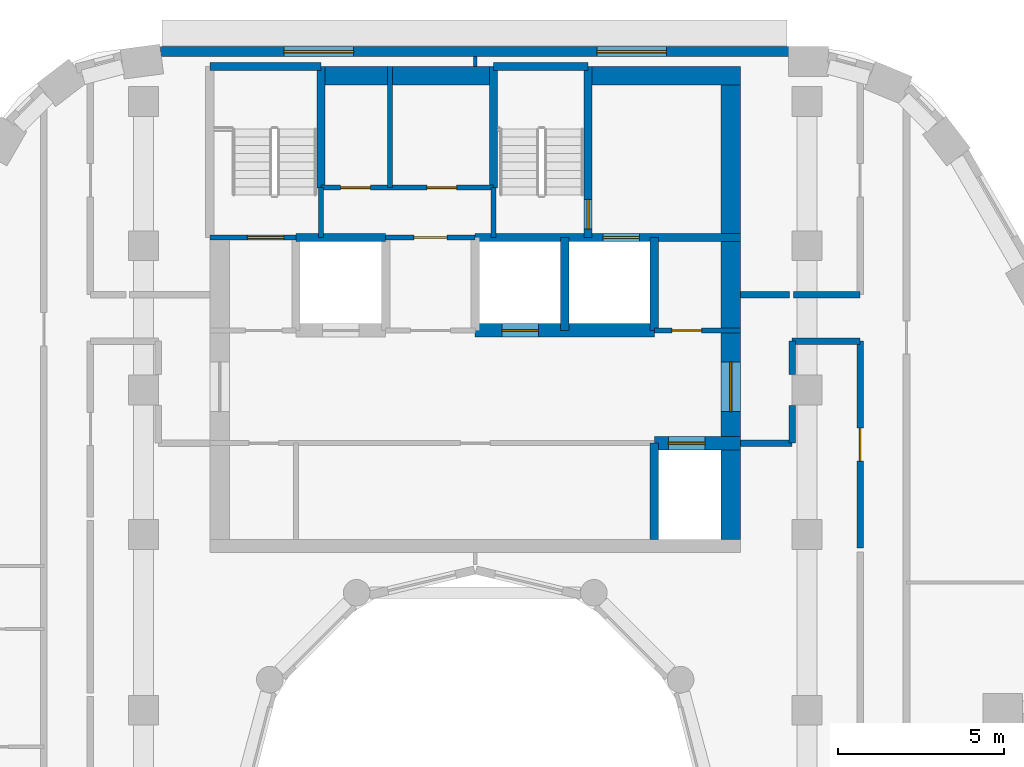
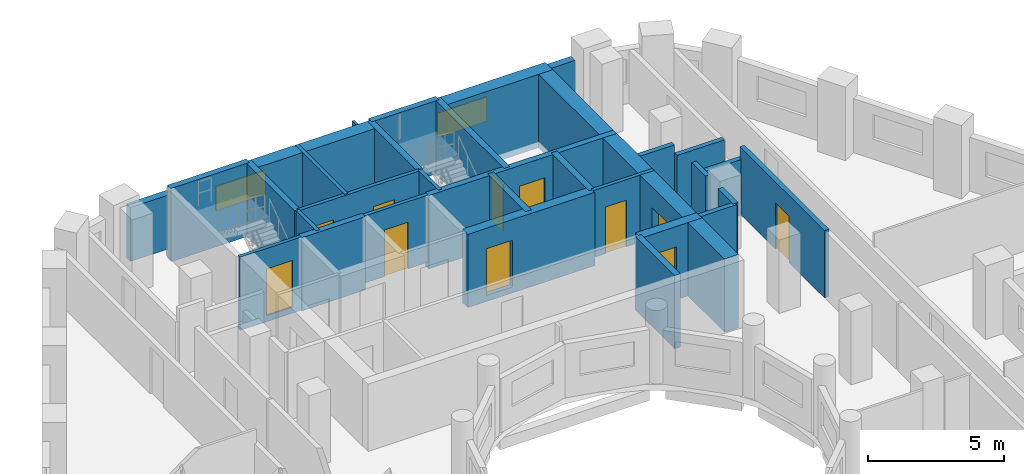
# One storey, part 8 of 15: 31 walls, 11 doors, 2 windows, 13 openings.
"""IFC4 building model written with IfcOpenShell, lengths in metres."""

from ifc_helpers import new_model, si_unit, direction, frame, frame_2d, origin, place, context, subcontext, project, spatial, rectangle, extrude, material, layer, layer_set, type_object, element, fill, save


model = new_model("IFC4")

# Units and contexts
model_context = context("Model", 3, precision=1e-05, world=origin(), true_north=direction((0.0, 1.0)))
body_context = subcontext(model_context, "Body", "Model", "MODEL_VIEW")
ifc_project = project(units=[si_unit("LENGTHUNIT", "METRE"), si_unit("AREAUNIT", "SQUARE_METRE"), si_unit("VOLUMEUNIT", "CUBIC_METRE"), si_unit("PLANEANGLEUNIT", "RADIAN"), si_unit("MASSUNIT", "GRAM", prefix="KILO")], contexts=[model_context])

# Site, building, storey
site_placement = place(None, origin())
site = spatial("IfcSite", under=ifc_project, at=site_placement, CompositionType="ELEMENT")
building_placement = place(site_placement, origin())
building = spatial("IfcBuilding", under=site, at=building_placement, Name="Nakaniwa Court", CompositionType="ELEMENT")
storey_placement = place(building_placement, frame((0.0, 0.0, 213.0)))
storey = spatial("IfcBuildingStorey", under=building, at=storey_placement, Name="L56", CompositionType="ELEMENT", Elevation=213.0)

# Wall, opening, door
ifc_material_1 = material(Name="Acoustic double stud partition")
ifc_layer_1 = layer(ifc_material_1, 0.199951171875)
ifc_layer_set_1 = layer_set([ifc_layer_1], Name="Acoustic double stud partition")
wall_type_1 = type_object("IfcWallType", Name="Acoustic double stud partition 200", PredefinedType="PARTITIONING", material=ifc_layer_set_1)
wall_1_placement = place(storey_placement, frame((91.60009765625, 87.537109375, 0.0), z_axis=(0.0, 0.0, 1.0), x_axis=(0.0, 1.0, 0.0)))
wall_1 = element("IfcWall", 1, at=wall_1_placement, inside=storey, type_object=wall_type_1, Name="Partition PW-069", PredefinedType="PARTITIONING", context=body_context, shape_type="SweptSolid", body=[
    extrude(rectangle(XDim=6.23779296875, YDim=0.199951171875, at=frame_2d((3.118896484375, 0.0))), origin(), (0.0, 0.0, 1.0), 3.02490234375),
])
opening_1_placement = place(wall_1_placement, frame((2.6201171875, 0.0, 0.0)))
opening_1 = element("IfcOpeningElement", 2, at=opening_1_placement, cuts=wall_1, Name="Opening D-02-03", PredefinedType="OPENING", context=body_context, shape_type="SweptSolid", body=[
    extrude(rectangle(XDim=1.0, YDim=2.10009765625, at=frame_2d((0.5, 1.050048828125))), frame((0.0, 0.10986328125, 0.0), z_axis=(0.0, -1.0, 0.0), x_axis=(1.0, 0.0, 0.0)), (0.0, 0.0, 1.0), 0.219970703125),
])
ifc_material_2 = material(Name="Solid core timber door set, black veneer", Category="wood")
door_type_1 = type_object("IfcDoorType", Name="Internal door 1000", OperationType="NOTDEFINED", PredefinedType="DOOR", material=ifc_material_2)
door_1_placement = place(opening_1_placement, origin())
door_1 = element("IfcDoor", 3, at=door_1_placement, inside=storey, type_object=door_type_1, Name="Door D-02-03 L56-031", OperationType="SINGLE_SWING_RIGHT", OverallHeight=2.10009765625, OverallWidth=1.0, PredefinedType="DOOR", context=body_context, shape_type="SweptSolid", body=[
    extrude(rectangle(XDim=1.0, YDim=2.10009765625, at=frame_2d((0.5, 1.050048828125))), frame((0.0, 0.02490234375, 0.0), z_axis=(0.0, -1.0, 0.0), x_axis=(1.0, 0.0, 0.0)), (0.0, 0.0, 1.0), 0.050048828125),
])
fill(opening_1, door_1)

# Walls
wall_2_placement = place(storey_placement, frame((89.550048828125, 90.699951171875, 0.0), z_axis=(0.0, 0.0, 1.0), x_axis=(0.0, 1.0, 0.0)))
element("IfcWall", 4, at=wall_2_placement, inside=storey, type_object=wall_type_1, Name="Partition PW-080", PredefinedType="PARTITIONING", context=body_context, shape_type="SweptSolid", body=[
    extrude(rectangle(XDim=1.1328125, YDim=0.199951171875, at=frame_2d((0.56640625, 0.0))), origin(), (0.0, 0.0, 1.0), 3.02490234375),
])
wall_3_placement = place(storey_placement, frame((89.550048828125, 92.76708984375, 0.0), z_axis=(0.0, 0.0, 1.0), x_axis=(0.0, 1.0, 0.0)))
element("IfcWall", 5, at=wall_3_placement, inside=storey, type_object=wall_type_1, Name="Partition PW-081", PredefinedType="PARTITIONING", context=body_context, shape_type="SweptSolid", body=[
    extrude(rectangle(XDim=1.0078125, YDim=0.199951171875, at=frame_2d((0.50390625, 0.0))), origin(), (0.0, 0.0, 1.0), 3.02490234375),
])
wall_4_placement = place(storey_placement, frame((89.550048828125, 93.77490234375, 0.0), z_axis=(0.0, 0.0, 1.0), x_axis=(1.0, 0.0, 0.0)))
element("IfcWall", 6, at=wall_4_placement, inside=storey, type_object=wall_type_1, Name="Partition PW-085", PredefinedType="PARTITIONING", context=body_context, shape_type="SweptSolid", body=[
    extrude(rectangle(XDim=2.050048828125, YDim=0.199951171875, at=frame_2d((1.02490234375, 0.0))), origin(), (0.0, 0.0, 1.0), 2.5048828125),
])
wall_5_placement = place(storey_placement, frame((88.0, 90.699951171875, 0.0), z_axis=(0.0, 0.0, 1.0), x_axis=(1.0, 0.0, 0.0)))
element("IfcWall", 7, at=wall_5_placement, inside=storey, type_object=wall_type_1, Name="Partition PW-087", PredefinedType="PARTITIONING", context=body_context, shape_type="SweptSolid", body=[
    extrude(rectangle(XDim=1.550048828125, YDim=0.199951171875, at=frame_2d((0.77490234375, 0.0))), origin(), (0.0, 0.0, 1.0), 3.02490234375),
])
wall_6_placement = place(storey_placement, frame((88.0, 95.175048828125, 0.0), z_axis=(0.0, 0.0, 1.0), x_axis=(1.0, 0.0, 0.0)))
element("IfcWall", 8, at=wall_6_placement, inside=storey, type_object=wall_type_1, Name="Partition PW-090", PredefinedType="PARTITIONING", context=body_context, shape_type="SweptSolid", body=[
    extrude(rectangle(XDim=1.472900390625, YDim=0.199951171875, at=frame_2d((0.736328125, 0.0))), origin(), (0.0, 0.0, 1.0), 3.02490234375),
])
wall_7_placement = place(storey_placement, frame((89.587158203125, 95.175048828125, 0.0), z_axis=(0.0, 0.0, 1.0), x_axis=(1.0, 0.0, 0.0)))
element("IfcWall", 9, at=wall_7_placement, inside=storey, type_object=wall_type_1, Name="Partition PW-091", PredefinedType="PARTITIONING", context=body_context, shape_type="SweptSolid", body=[
    extrude(rectangle(XDim=2.012939453125, YDim=0.199951171875, at=frame_2d((1.00634765625, 0.0))), origin(), (0.0, 0.0, 1.0), 2.5048828125),
])

# Wall, openings, windows
ifc_material_3 = material(Name="Charcoal ceramic cladding")
ifc_layer_2 = layer(ifc_material_3, 0.02, Name="Ceramic cladding")
ifc_material_4 = material(Name="Ventilated air cavity")
ifc_layer_3 = layer(ifc_material_4, 0.04, ventilated=True, Name="Ventilated cavity")
ifc_material_5 = material(Name="Mineral wool insulation")
ifc_layer_4 = layer(ifc_material_5, 0.1, Name="Insulation")
ifc_material_6 = material(Name="Cement bonded sheathing board")
ifc_layer_5 = layer(ifc_material_6, 0.012, Name="Sheathing")
ifc_material_7 = material(Name="Cold-formed galvanised stud frame with mineral wool infill")
ifc_layer_6 = layer(ifc_material_7, 0.1, Name="Stud frame")
ifc_material_8 = material(Name="Fire-rated gypsum plasterboard lining")
ifc_layer_7 = layer(ifc_material_8, 0.028, Name="Lining")
ifc_layer_set_2 = layer_set([ifc_layer_2, ifc_layer_3, ifc_layer_4, ifc_layer_5, ifc_layer_6, ifc_layer_7], Name="Charcoal ceramic faced external wall system")
wall_type_2 = type_object("IfcWallType", Name="Black ceramic faced external wall 300", PredefinedType="SOLIDWALL", material=ifc_layer_set_2)
wall_8_placement = place(storey_placement, frame((89.44921875, 102.5, 0.0), z_axis=(0.0, 0.0, 1.0), x_axis=(-1.0, 0.0, 0.0)))
wall_8 = element("IfcWall", 10, at=wall_8_placement, inside=storey, type_object=wall_type_2, Name="L56 external wall 08", PredefinedType="SOLIDWALL", context=body_context, shape_type="SweptSolid", body=[
    extrude(rectangle(XDim=18.932861328125, YDim=0.300048828125, at=frame_2d((9.46630859375, 0.0))), origin(), (0.0, 0.0, 1.0), 2.425048828125),
])
opening_2_placement = place(wall_8_placement, frame((3.6865234375, 0.0, 0.89990234375)))
opening_2 = element("IfcOpeningElement", 11, at=opening_2_placement, cuts=wall_8, Name="Opening W7.09", PredefinedType="OPENING", context=body_context, shape_type="SweptSolid", body=[
    extrude(rectangle(XDim=2.10009765625, YDim=1.10009765625, at=frame_2d((1.050048828125, 0.550048828125))), frame((0.0, 0.159912109375, 0.0), z_axis=(0.0, -1.0, 0.0), x_axis=(1.0, 0.0, 0.0)), (0.0, 0.0, 1.0), 0.320068359375),
])
opening_3_placement = place(wall_8_placement, frame((13.117919921875, 0.0, 0.89990234375)))
opening_3 = element("IfcOpeningElement", 12, at=opening_3_placement, cuts=wall_8, Name="Opening W7.10", PredefinedType="OPENING", context=body_context, shape_type="SweptSolid", body=[
    extrude(rectangle(XDim=2.10009765625, YDim=1.10009765625, at=frame_2d((1.050048828125, 0.550048828125))), frame((0.0, 0.159912109375, 0.0), z_axis=(0.0, -1.0, 0.0), x_axis=(1.0, 0.0, 0.0)), (0.0, 0.0, 1.0), 0.320068359375),
])
ifc_material_9 = material(Name="Black anodised aluminium frame with dark low-E laminated double glazing", Category="aluminium")
window_type = type_object("IfcWindowType", Name="Dark glass window 2100x1100 sill 900", PartitioningType="SINGLE_PANEL", PredefinedType="WINDOW", material=ifc_material_9)
window_1_placement = place(opening_2_placement, origin())
window_1 = element("IfcWindow", 13, at=window_1_placement, inside=storey, type_object=window_type, Name="L56 habitable room window 08-0", OverallHeight=1.10009765625, OverallWidth=2.10009765625, PartitioningType="SINGLE_PANEL", PredefinedType="WINDOW", context=body_context, shape_type="SweptSolid", body=[
    extrude(rectangle(XDim=2.10009765625, YDim=1.10009765625, at=frame_2d((1.050048828125, 0.550048828125))), frame((0.0, 0.030029296875, 0.0), z_axis=(0.0, -1.0, 0.0), x_axis=(1.0, 0.0, 0.0)), (0.0, 0.0, 1.0), 0.06005859375),
])
fill(opening_2, window_1)
window_2_placement = place(opening_3_placement, origin())
window_2 = element("IfcWindow", 14, at=window_2_placement, inside=storey, type_object=window_type, Name="L56 habitable room window 08-1", OverallHeight=1.10009765625, OverallWidth=2.10009765625, PartitioningType="SINGLE_PANEL", PredefinedType="WINDOW", context=body_context, shape_type="SweptSolid", body=[
    extrude(rectangle(XDim=2.10009765625, YDim=1.10009765625, at=frame_2d((1.050048828125, 0.550048828125))), frame((0.0, 0.030029296875, 0.0), z_axis=(0.0, -1.0, 0.0), x_axis=(1.0, 0.0, 0.0)), (0.0, 0.0, 1.0), 0.06005859375),
])
fill(opening_3, window_2)

# Wall, opening, door
ifc_material_10 = material(Name="Blockwork partition", Category="masonry")
ifc_layer_8 = layer(ifc_material_10, 0.14990234375)
ifc_layer_set_3 = layer_set([ifc_layer_8], Name="Blockwork partition")
wall_type_3 = type_object("IfcWallType", Name="Blockwork partition 150", PredefinedType="PARTITIONING", material=ifc_layer_set_3)
wall_9_placement = place(storey_placement, frame((85.39697265625, 94.10009765625, 0.0), z_axis=(0.0, 0.0, 1.0), x_axis=(1.0, 0.0, 0.0)))
wall_9 = element("IfcWall", 15, at=wall_9_placement, inside=storey, type_object=wall_type_3, Name="Partition PW-010", PredefinedType="PARTITIONING", context=body_context, shape_type="SweptSolid", body=[
    extrude(rectangle(XDim=2.60302734375, YDim=0.14990234375, at=frame_2d((1.301513671875, 0.0))), origin(), (0.0, 0.0, 1.0), 3.02490234375),
])
opening_4_placement = place(wall_9_placement, frame((0.528076171875, 0.0, 0.0)))
opening_4 = element("IfcOpeningElement", 16, at=opening_4_placement, cuts=wall_9, Name="Opening D-05-03", PredefinedType="OPENING", context=body_context, shape_type="SweptSolid", body=[
    extrude(rectangle(XDim=0.89990234375, YDim=2.10009765625, at=frame_2d((0.449951171875, 1.050048828125))), frame((0.0, 0.0849609375, 0.0), z_axis=(0.0, -1.0, 0.0), x_axis=(1.0, 0.0, 0.0)), (0.0, 0.0, 1.0), 0.169921875),
])
ifc_material_11 = material(Name="Fire rated steel door set", Category="steel")
door_type_2 = type_object("IfcDoorType", Name="Service room door 900", OperationType="NOTDEFINED", PredefinedType="DOOR", material=ifc_material_11)
door_2_placement = place(opening_4_placement, origin())
door_2 = element("IfcDoor", 17, at=door_2_placement, inside=storey, type_object=door_type_2, Name="Door D-05-03 L56-005", OperationType="SINGLE_SWING_RIGHT", OverallHeight=2.10009765625, OverallWidth=0.89990234375, PredefinedType="DOOR", context=body_context, shape_type="SweptSolid", body=[
    extrude(rectangle(XDim=0.89990234375, YDim=2.10009765625, at=frame_2d((0.449951171875, 1.050048828125))), frame((0.0, 0.02490234375, 0.0), z_axis=(0.0, -1.0, 0.0), x_axis=(1.0, 0.0, 0.0)), (0.0, 0.0, 1.0), 0.050048828125),
])
fill(opening_4, door_2)

wall_10_placement = place(storey_placement, frame((77.300048828125, 96.89990234375, 0.0), z_axis=(0.0, 0.0, 1.0), x_axis=(1.0, 0.0, 0.0)))
wall_10 = element("IfcWall", 18, at=wall_10_placement, inside=storey, type_object=wall_type_3, Name="Partition PW-019", PredefinedType="PARTITIONING", context=body_context, shape_type="SweptSolid", body=[
    extrude(rectangle(XDim=2.699951171875, YDim=0.14990234375, at=frame_2d((1.35009765625, 0.0))), origin(), (0.0, 0.0, 1.0), 3.02490234375),
])
opening_5_placement = place(wall_10_placement, frame((0.85009765625, 0.0, 0.0)))
opening_5 = element("IfcOpeningElement", 19, at=opening_5_placement, cuts=wall_10, Name="Opening D-23-01", PredefinedType="OPENING", context=body_context, shape_type="SweptSolid", body=[
    extrude(rectangle(XDim=1.0, YDim=2.10009765625, at=frame_2d((0.5, 1.050048828125))), frame((0.0, 0.0849609375, 0.0), z_axis=(0.0, -1.0, 0.0), x_axis=(1.0, 0.0, 0.0)), (0.0, 0.0, 1.0), 0.169921875),
])
door_type_3 = type_object("IfcDoorType", Name="Service room door 1000", OperationType="NOTDEFINED", PredefinedType="DOOR", material=ifc_material_11)
door_3_placement = place(opening_5_placement, origin())
door_3 = element("IfcDoor", 20, at=door_3_placement, inside=storey, type_object=door_type_3, Name="Door D-23-01 L56-006", OperationType="SINGLE_SWING_LEFT", OverallHeight=2.10009765625, OverallWidth=1.0, PredefinedType="DOOR", context=body_context, shape_type="SweptSolid", body=[
    extrude(rectangle(XDim=1.0, YDim=2.10009765625, at=frame_2d((0.5, 1.050048828125))), frame((0.0, 0.02490234375, 0.0), z_axis=(0.0, -1.0, 0.0), x_axis=(1.0, 0.0, 0.0)), (0.0, 0.0, 1.0), 0.050048828125),
])
fill(opening_5, door_3)

# Wall, openings, doors
wall_11_placement = place(storey_placement, frame((75.35009765625, 98.39990234375, 0.0), z_axis=(0.0, 0.0, 1.0), x_axis=(1.0, 0.0, 0.0)))
wall_11 = element("IfcWall", 21, at=wall_11_placement, inside=storey, type_object=wall_type_3, Name="Partition PW-031", PredefinedType="PARTITIONING", context=body_context, shape_type="SweptSolid", body=[
    extrude(rectangle(XDim=5.199951171875, YDim=0.14990234375, at=frame_2d((2.60009765625, 0.0))), origin(), (0.0, 0.0, 1.0), 3.02490234375),
])
opening_6_placement = place(wall_11_placement, frame((0.590087890625, 0.0, 0.0)))
opening_6 = element("IfcOpeningElement", 22, at=opening_6_placement, cuts=wall_11, Name="Opening D-05-04", PredefinedType="OPENING", context=body_context, shape_type="SweptSolid", body=[
    extrude(rectangle(XDim=0.89990234375, YDim=2.10009765625, at=frame_2d((0.449951171875, 1.050048828125))), frame((0.0, 0.0849609375, 0.0), z_axis=(0.0, -1.0, 0.0), x_axis=(1.0, 0.0, 0.0)), (0.0, 0.0, 1.0), 0.169921875),
])
opening_7_placement = place(wall_11_placement, frame((3.18994140625, 0.0, 0.0)))
opening_7 = element("IfcOpeningElement", 23, at=opening_7_placement, cuts=wall_11, Name="Opening D-05-05", PredefinedType="OPENING", context=body_context, shape_type="SweptSolid", body=[
    extrude(rectangle(XDim=0.89990234375, YDim=2.10009765625, at=frame_2d((0.449951171875, 1.050048828125))), frame((0.0, 0.0849609375, 0.0), z_axis=(0.0, -1.0, 0.0), x_axis=(1.0, 0.0, 0.0)), (0.0, 0.0, 1.0), 0.169921875),
])
door_4_placement = place(opening_6_placement, origin())
door_4 = element("IfcDoor", 24, at=door_4_placement, inside=storey, type_object=door_type_2, Name="Door D-05-04 L56-007", OperationType="SINGLE_SWING_RIGHT", OverallHeight=2.10009765625, OverallWidth=0.89990234375, PredefinedType="DOOR", context=body_context, shape_type="SweptSolid", body=[
    extrude(rectangle(XDim=0.89990234375, YDim=2.10009765625, at=frame_2d((0.449951171875, 1.050048828125))), frame((0.0, 0.02490234375, 0.0), z_axis=(0.0, -1.0, 0.0), x_axis=(1.0, 0.0, 0.0)), (0.0, 0.0, 1.0), 0.050048828125),
])
fill(opening_6, door_4)
door_5_placement = place(opening_7_placement, origin())
door_5 = element("IfcDoor", 25, at=door_5_placement, inside=storey, type_object=door_type_2, Name="Door D-05-05 L56-008", OperationType="SINGLE_SWING_LEFT", OverallHeight=2.10009765625, OverallWidth=0.89990234375, PredefinedType="DOOR", context=body_context, shape_type="SweptSolid", body=[
    extrude(rectangle(XDim=0.89990234375, YDim=2.10009765625, at=frame_2d((0.449951171875, 1.050048828125))), frame((0.0, 0.02490234375, 0.0), z_axis=(0.0, -1.0, 0.0), x_axis=(1.0, 0.0, 0.0)), (0.0, 0.0, 1.0), 0.050048828125),
])
fill(opening_7, door_5)

# Wall
wall_12_placement = place(storey_placement, frame((77.429931640625, 98.39990234375, 0.0), z_axis=(0.0, 0.0, 1.0), x_axis=(0.0, 1.0, 0.0)))
element("IfcWall", 26, at=wall_12_placement, inside=storey, type_object=wall_type_3, Name="Partition PW-032", PredefinedType="PARTITIONING", context=body_context, shape_type="SweptSolid", body=[
    extrude(rectangle(XDim=3.650146484375, YDim=0.14990234375, at=frame_2d((1.8251953125, 0.0))), origin(), (0.0, 0.0, 1.0), 3.02490234375),
])

# Wall, opening, door
ifc_material_12 = material(Name="Concrete C80/100", Category="concrete")
ifc_layer_9 = layer(ifc_material_12, 0.60009765625)
ifc_layer_set_4 = layer_set([ifc_layer_9], Name="Concrete C80/100")
wall_type_4 = type_object("IfcWallType", Name="Concrete core side wall 600 C80", PredefinedType="SHEAR", material=ifc_layer_set_4)
wall_13_placement = place(storey_placement, frame((87.699951171875, 102.050048828125, -0.27490234375), z_axis=(0.0, 0.0, 1.0), x_axis=(0.0, -1.0, 0.0)))
wall_13 = element("IfcWall", 27, at=wall_13_placement, inside=storey, type_object=wall_type_4, Name="Core wall SW-07", PredefinedType="SHEAR", context=body_context, shape_type="SweptSolid", body=[
    extrude(rectangle(XDim=14.25, YDim=0.60009765625, at=frame_2d((7.125, 0.0))), origin(), (0.0, 0.0, 1.0), 3.2998046875),
])
opening_8_placement = place(wall_13_placement, frame((8.89794921875, 0.0, 0.27490234375)))
opening_8 = element("IfcOpeningElement", 28, at=opening_8_placement, cuts=wall_13, Name="Opening D-07-01", PredefinedType="OPENING", context=body_context, shape_type="SweptSolid", body=[
    extrude(rectangle(XDim=1.5, YDim=2.10009765625, at=frame_2d((0.75, 1.050048828125))), frame((0.0, 0.31005859375, 0.0), z_axis=(0.0, -1.0, 0.0), x_axis=(1.0, 0.0, 0.0)), (0.0, 0.0, 1.0), 0.6201171875),
])
ifc_material_13 = material(Name="Glazed fire rated steel double door set", Category="steel")
door_type_4 = type_object("IfcDoorType", Name="Lobby double door 1500", OperationType="NOTDEFINED", PredefinedType="DOOR", material=ifc_material_13)
door_6_placement = place(opening_8_placement, origin())
door_6 = element("IfcDoor", 29, at=door_6_placement, inside=storey, type_object=door_type_4, Name="Door D-07-01 L56-052", OperationType="DOUBLE_DOOR_SINGLE_SWING", OverallHeight=2.10009765625, OverallWidth=1.5, PredefinedType="DOOR", context=body_context, shape_type="SweptSolid", body=[
    extrude(rectangle(XDim=1.5, YDim=2.10009765625, at=frame_2d((0.75, 1.050048828125))), frame((0.0, 0.02490234375, 0.0), z_axis=(0.0, -1.0, 0.0), x_axis=(1.0, 0.0, 0.0)), (0.0, 0.0, 1.0), 0.050048828125),
])
fill(opening_8, door_6)

ifc_layer_10 = layer(ifc_material_12, 0.39990234375)
ifc_layer_set_5 = layer_set([ifc_layer_10], Name="Concrete C80/100")
wall_type_5 = type_object("IfcWallType", Name="Concrete core spine wall 400 C80", PredefinedType="SHEAR", material=ifc_layer_set_5)
wall_14_placement = place(storey_placement, frame((85.39990234375, 90.699951171875, -0.27490234375), z_axis=(0.0, 0.0, 1.0), x_axis=(1.0, 0.0, 0.0)))
wall_14 = element("IfcWall", 30, at=wall_14_placement, inside=storey, type_object=wall_type_5, Name="Core wall SW-06", PredefinedType="SHEAR", context=body_context, shape_type="SweptSolid", body=[
    extrude(rectangle(XDim=2.60009765625, YDim=0.39990234375, at=frame_2d((1.300048828125, 0.0))), origin(), (0.0, 0.0, 1.0), 3.2998046875),
])
opening_9_placement = place(wall_14_placement, frame((0.425048828125, 0.0, 0.27490234375)))
opening_9 = element("IfcOpeningElement", 31, at=opening_9_placement, cuts=wall_14, Name="Opening LD01", PredefinedType="OPENING", context=body_context, shape_type="SweptSolid", body=[
    extrude(rectangle(XDim=1.10009765625, YDim=2.10009765625, at=frame_2d((0.550048828125, 1.050048828125))), frame((0.0, 0.2099609375, 0.0), z_axis=(0.0, -1.0, 0.0), x_axis=(1.0, 0.0, 0.0)), (0.0, 0.0, 1.0), 0.419921875),
])
ifc_material_14 = material(Name="Stainless steel sliding lift landing door", Category="steel")
door_type_5 = type_object("IfcDoorType", Name="Lift landing door 1100", OperationType="NOTDEFINED", PredefinedType="DOOR", material=ifc_material_14)
door_7_placement = place(opening_9_placement, origin())
door_7 = element("IfcDoor", 32, at=door_7_placement, inside=storey, type_object=door_type_5, Name="Lift landing door LD01 L56-001", OperationType="SLIDING_TO_LEFT", OverallHeight=2.10009765625, OverallWidth=1.10009765625, PredefinedType="DOOR", context=body_context, shape_type="SweptSolid", body=[
    extrude(rectangle(XDim=1.10009765625, YDim=2.10009765625, at=frame_2d((0.550048828125, 1.050048828125))), frame((0.0, 0.02490234375, 0.0), z_axis=(0.0, -1.0, 0.0), x_axis=(1.0, 0.0, 0.0)), (0.0, 0.0, 1.0), 0.050048828125),
])
fill(opening_9, door_7)

wall_15_placement = place(storey_placement, frame((79.9970703125, 94.10009765625, -0.27490234375), z_axis=(0.0, 0.0, 1.0), x_axis=(1.0, 0.0, 0.0)))
wall_15 = element("IfcWall", 33, at=wall_15_placement, inside=storey, type_object=wall_type_5, Name="Core wall SW-12", PredefinedType="SHEAR", context=body_context, shape_type="SweptSolid", body=[
    extrude(rectangle(XDim=5.406005859375, YDim=0.39990234375, at=frame_2d((2.703125, 0.0))), origin(), (0.0, 0.0, 1.0), 3.2998046875),
])
opening_10_placement = place(wall_15_placement, frame((0.802978515625, 0.0, 0.27490234375)))
opening_10 = element("IfcOpeningElement", 34, at=opening_10_placement, cuts=wall_15, Name="Opening LD03", PredefinedType="OPENING", context=body_context, shape_type="SweptSolid", body=[
    extrude(rectangle(XDim=1.10009765625, YDim=2.10009765625, at=frame_2d((0.550048828125, 1.050048828125))), frame((0.0, 0.2099609375, 0.0), z_axis=(0.0, -1.0, 0.0), x_axis=(1.0, 0.0, 0.0)), (0.0, 0.0, 1.0), 0.419921875),
])
door_8_placement = place(opening_10_placement, origin())
door_8 = element("IfcDoor", 35, at=door_8_placement, inside=storey, type_object=door_type_5, Name="Lift landing door LD03 L56-003", OperationType="SLIDING_TO_LEFT", OverallHeight=2.10009765625, OverallWidth=1.10009765625, PredefinedType="DOOR", context=body_context, shape_type="SweptSolid", body=[
    extrude(rectangle(XDim=1.10009765625, YDim=2.10009765625, at=frame_2d((0.550048828125, 1.050048828125))), frame((0.0, 0.02490234375, 0.0), z_axis=(0.0, -1.0, 0.0), x_axis=(1.0, 0.0, 0.0)), (0.0, 0.0, 1.0), 0.050048828125),
])
fill(opening_10, door_8)

ifc_layer_11 = layer(ifc_material_12, 0.14990234375)
ifc_layer_set_6 = layer_set([ifc_layer_11], Name="Concrete C80/100")
wall_type_6 = type_object("IfcWallType", Name="Concrete core wall 150 C80", PredefinedType="SHEAR", material=ifc_layer_set_6)
wall_16_placement = place(storey_placement, frame((74.60009765625, 96.89990234375, -0.27490234375), z_axis=(0.0, 0.0, 1.0), x_axis=(-1.0, 0.0, 0.0)))
wall_16 = element("IfcWall", 36, at=wall_16_placement, inside=storey, type_object=wall_type_6, Name="Core wall SW-14", PredefinedType="SHEAR", context=body_context, shape_type="SweptSolid", body=[
    extrude(rectangle(XDim=2.60009765625, YDim=0.14990234375, at=frame_2d((1.300048828125, 0.0))), origin(), (0.0, 0.0, 1.0), 3.2998046875),
])
opening_11_placement = place(wall_16_placement, frame((0.3701171875, 0.0, 0.27490234375)))
opening_11 = element("IfcOpeningElement", 37, at=opening_11_placement, cuts=wall_16, Name="Opening D-09-01", PredefinedType="OPENING", context=body_context, shape_type="SweptSolid", body=[
    extrude(rectangle(XDim=1.10009765625, YDim=2.10009765625, at=frame_2d((0.550048828125, 1.050048828125))), frame((0.0, 0.0849609375, 0.0), z_axis=(0.0, -1.0, 0.0), x_axis=(1.0, 0.0, 0.0)), (0.0, 0.0, 1.0), 0.169921875),
])
door_type_6 = type_object("IfcDoorType", Name="Stair door 1100", OperationType="NOTDEFINED", PredefinedType="DOOR", material=ifc_material_11)
door_9_placement = place(opening_11_placement, origin())
door_9 = element("IfcDoor", 38, at=door_9_placement, inside=storey, type_object=door_type_6, Name="Door D-09-01 L56-009", OperationType="SINGLE_SWING_LEFT", OverallHeight=2.10009765625, OverallWidth=1.10009765625, PredefinedType="DOOR", context=body_context, shape_type="SweptSolid", body=[
    extrude(rectangle(XDim=1.10009765625, YDim=2.10009765625, at=frame_2d((0.550048828125, 1.050048828125))), frame((0.0, 0.02490234375, 0.0), z_axis=(0.0, -1.0, 0.0), x_axis=(1.0, 0.0, 0.0)), (0.0, 0.0, 1.0), 0.050048828125),
])
fill(opening_11, door_9)

# Walls
for number, where, z_axis, x_axis, name in (
    (39, (75.35009765625, 96.89990234375, -0.27490234375), (0.0, 0.0, 1.0), (0.0, 1.0, 0.0), "Core wall SW-21"),
    (40, (80.550048828125, 96.89990234375, -0.27490234375), (0.0, 0.0, 1.0), (0.0, 1.0, 0.0), "Core wall SW-27"),
):
    element("IfcWall", number, at=place(storey_placement, frame(where, z_axis=z_axis, x_axis=x_axis)), inside=storey, type_object=wall_type_6, Name=name, PredefinedType="SHEAR", context=body_context, shape_type="SweptSolid", body=[
        extrude(rectangle(XDim=1.503173828125, YDim=0.14990234375, at=frame_2d((0.75146484375, 0.0))), origin(), (0.0, 0.0, 1.0), 3.2998046875),
    ])
ifc_layer_12 = layer(ifc_material_12, 0.25)
ifc_layer_set_7 = layer_set([ifc_layer_12], Name="Concrete C80/100")
wall_type_7 = type_object("IfcWallType", Name="Concrete core wall 250 C80", PredefinedType="SHEAR", material=ifc_layer_set_7)
wall_17_placement = place(storey_placement, frame((72.0, 102.050048828125, -0.27490234375), z_axis=(0.0, 0.0, 1.0), x_axis=(1.0, 0.0, 0.0)))
element("IfcWall", 41, at=wall_17_placement, inside=storey, type_object=wall_type_7, Name="Core wall SW-23", PredefinedType="SHEAR", context=body_context, shape_type="SweptSolid", body=[
    extrude(rectangle(XDim=3.35009765625, YDim=0.25, at=frame_2d((1.675048828125, 0.0))), origin(), (0.0, 0.0, 1.0), 3.2998046875),
])
wall_18_placement = place(storey_placement, frame((80.550048828125, 102.050048828125, -0.27490234375), z_axis=(0.0, 0.0, 1.0), x_axis=(1.0, 0.0, 0.0)))
element("IfcWall", 42, at=wall_18_placement, inside=storey, type_object=wall_type_7, Name="Core wall SW-24", PredefinedType="SHEAR", context=body_context, shape_type="SweptSolid", body=[
    extrude(rectangle(XDim=2.849853515625, YDim=0.25, at=frame_2d((1.4248046875, 0.0))), origin(), (0.0, 0.0, 1.0), 3.2998046875),
])
ifc_layer_13 = layer(ifc_material_12, 0.550048828125)
ifc_layer_set_8 = layer_set([ifc_layer_13], Name="Concrete C80/100")
wall_type_8 = type_object("IfcWallType", Name="Concrete core wall 550 C80", PredefinedType="SHEAR", material=ifc_layer_set_8)
wall_19_placement = place(storey_placement, frame((75.35009765625, 101.77490234375, -0.27490234375), z_axis=(0.0, 0.0, 1.0), x_axis=(1.0, 0.0, 0.0)))
element("IfcWall", 43, at=wall_19_placement, inside=storey, type_object=wall_type_8, Name="Core wall SW-29", PredefinedType="SHEAR", context=body_context, shape_type="SweptSolid", body=[
    extrude(rectangle(XDim=5.199951171875, YDim=0.550048828125, at=frame_2d((2.60009765625, 0.0))), origin(), (0.0, 0.0, 1.0), 3.2998046875),
])
wall_20_placement = place(storey_placement, frame((83.39990234375, 101.77490234375, -0.27490234375), z_axis=(0.0, 0.0, 1.0), x_axis=(1.0, 0.0, 0.0)))
element("IfcWall", 44, at=wall_20_placement, inside=storey, type_object=wall_type_8, Name="Core wall SW-30", PredefinedType="SHEAR", context=body_context, shape_type="SweptSolid", body=[
    extrude(rectangle(XDim=4.60009765625, YDim=0.550048828125, at=frame_2d((2.300048828125, 0.0))), origin(), (0.0, 0.0, 1.0), 3.2998046875),
])
ifc_layer_14 = layer(ifc_material_12, 0.25)
ifc_layer_set_9 = layer_set([ifc_layer_14], Name="Concrete C80/100")
wall_type_9 = type_object("IfcWallType", Name="Concrete shaft wall 250 C80", PredefinedType="SHEAR", material=ifc_layer_set_9)
wall_21_placement = place(storey_placement, frame((85.39990234375, 87.800048828125, -0.27490234375), z_axis=(0.0, 0.0, 1.0), x_axis=(0.0, 1.0, 0.0)))
element("IfcWall", 45, at=wall_21_placement, inside=storey, type_object=wall_type_9, Name="Core wall SW-04", PredefinedType="SHEAR", context=body_context, shape_type="SweptSolid", body=[
    extrude(rectangle(XDim=2.89990234375, YDim=0.25, at=frame_2d((1.449951171875, 0.0))), origin(), (0.0, 0.0, 1.0), 3.2998046875),
])
wall_22_placement = place(storey_placement, frame((85.39990234375, 94.10009765625, -0.27490234375), z_axis=(0.0, 0.0, 1.0), x_axis=(0.0, 1.0, 0.0)))
element("IfcWall", 46, at=wall_22_placement, inside=storey, type_object=wall_type_9, Name="Core wall SW-05", PredefinedType="SHEAR", context=body_context, shape_type="SweptSolid", body=[
    extrude(rectangle(XDim=2.7998046875, YDim=0.25, at=frame_2d((1.39990234375, 0.0))), origin(), (0.0, 0.0, 1.0), 3.2998046875),
])
wall_23_placement = place(storey_placement, frame((74.60009765625, 96.89990234375, -0.27490234375), z_axis=(0.0, 0.0, 1.0), x_axis=(1.0, 0.0, 0.0)))
element("IfcWall", 47, at=wall_23_placement, inside=storey, type_object=wall_type_9, Name="Core wall SW-16", PredefinedType="SHEAR", context=body_context, shape_type="SweptSolid", body=[
    extrude(rectangle(XDim=2.699951171875, YDim=0.25, at=frame_2d((1.35009765625, 0.0))), origin(), (0.0, 0.0, 1.0), 3.2998046875),
])

# Wall, opening, door
wall_24_placement = place(storey_placement, frame((80.0, 96.89990234375, -0.27490234375), z_axis=(0.0, 0.0, 1.0), x_axis=(1.0, 0.0, 0.0)))
wall_24 = element("IfcWall", 48, at=wall_24_placement, inside=storey, type_object=wall_type_9, Name="Core wall SW-17", PredefinedType="SHEAR", context=body_context, shape_type="SweptSolid", body=[
    extrude(rectangle(XDim=8.0, YDim=0.25, at=frame_2d((4.0, 0.0))), origin(), (0.0, 0.0, 1.0), 3.2998046875),
])
opening_12_placement = place(wall_24_placement, frame((3.84912109375, 0.0, 0.27490234375)))
opening_12 = element("IfcOpeningElement", 49, at=opening_12_placement, cuts=wall_24, Name="Opening LD04", PredefinedType="OPENING", context=body_context, shape_type="SweptSolid", body=[
    extrude(rectangle(XDim=1.10009765625, YDim=2.10009765625, at=frame_2d((0.550048828125, 1.050048828125))), frame((0.0, 0.135009765625, 0.0), z_axis=(0.0, -1.0, 0.0), x_axis=(1.0, 0.0, 0.0)), (0.0, 0.0, 1.0), 0.27001953125),
])
door_10_placement = place(opening_12_placement, origin())
door_10 = element("IfcDoor", 50, at=door_10_placement, inside=storey, type_object=door_type_5, Name="Lift landing door LD04 L56-004", OperationType="SLIDING_TO_LEFT", OverallHeight=2.10009765625, OverallWidth=1.10009765625, PredefinedType="DOOR", context=body_context, shape_type="SweptSolid", body=[
    extrude(rectangle(XDim=1.10009765625, YDim=2.10009765625, at=frame_2d((0.550048828125, 1.050048828125))), frame((0.0, 0.02490234375, 0.0), z_axis=(0.0, -1.0, 0.0), x_axis=(1.0, 0.0, 0.0)), (0.0, 0.0, 1.0), 0.050048828125),
])
fill(opening_12, door_10)

# Walls
wall_25_placement = place(storey_placement, frame((82.699951171875, 94.10009765625, -0.27490234375), z_axis=(0.0, 0.0, 1.0), x_axis=(0.0, 1.0, 0.0)))
element("IfcWall", 51, at=wall_25_placement, inside=storey, type_object=wall_type_9, Name="Core wall SW-20", PredefinedType="SHEAR", context=body_context, shape_type="SweptSolid", body=[
    extrude(rectangle(XDim=2.7998046875, YDim=0.25, at=frame_2d((1.39990234375, 0.0))), origin(), (0.0, 0.0, 1.0), 3.2998046875),
])
wall_26_placement = place(storey_placement, frame((75.35009765625, 98.39697265625, -0.27490234375), z_axis=(0.0, 0.0, 1.0), x_axis=(0.0, 1.0, 0.0)))
element("IfcWall", 52, at=wall_26_placement, inside=storey, type_object=wall_type_9, Name="Core wall SW-22", PredefinedType="SHEAR", context=body_context, shape_type="SweptSolid", body=[
    extrude(rectangle(XDim=3.653076171875, YDim=0.25, at=frame_2d((1.82666015625, 0.0))), origin(), (0.0, 0.0, 1.0), 3.2998046875),
])

# Wall, opening, door
wall_27_placement = place(storey_placement, frame((83.39990234375, 102.050048828125, -0.27490234375), z_axis=(0.0, 0.0, 1.0), x_axis=(0.0, -1.0, 0.0)))
wall_27 = element("IfcWall", 53, at=wall_27_placement, inside=storey, type_object=wall_type_9, Name="Core wall SW-26", PredefinedType="SHEAR", context=body_context, shape_type="SweptSolid", body=[
    extrude(rectangle(XDim=5.150146484375, YDim=0.25, at=frame_2d((2.5751953125, 0.0))), origin(), (0.0, 0.0, 1.0), 3.2998046875),
])
opening_13_placement = place(wall_27_placement, frame((4.0, 0.0, 0.27490234375)))
opening_13 = element("IfcOpeningElement", 54, at=opening_13_placement, cuts=wall_27, Name="Opening D-11-01", PredefinedType="OPENING", context=body_context, shape_type="SweptSolid", body=[
    extrude(rectangle(XDim=0.89990234375, YDim=2.10009765625, at=frame_2d((0.449951171875, 1.050048828125))), frame((0.0, 0.135009765625, 0.0), z_axis=(0.0, -1.0, 0.0), x_axis=(1.0, 0.0, 0.0)), (0.0, 0.0, 1.0), 0.27001953125),
])
door_type_7 = type_object("IfcDoorType", Name="Stair door 900", OperationType="NOTDEFINED", PredefinedType="DOOR", material=ifc_material_11)
door_11_placement = place(opening_13_placement, origin())
door_11 = element("IfcDoor", 55, at=door_11_placement, inside=storey, type_object=door_type_7, Name="Door D-11-01 L56-010", OperationType="SINGLE_SWING_RIGHT", OverallHeight=2.10009765625, OverallWidth=0.89990234375, PredefinedType="DOOR", context=body_context, shape_type="SweptSolid", body=[
    extrude(rectangle(XDim=0.89990234375, YDim=2.10009765625, at=frame_2d((0.449951171875, 1.050048828125))), frame((0.0, 0.02490234375, 0.0), z_axis=(0.0, -1.0, 0.0), x_axis=(1.0, 0.0, 0.0)), (0.0, 0.0, 1.0), 0.050048828125),
])
fill(opening_13, door_11)

# Walls
wall_28_placement = place(storey_placement, frame((80.550048828125, 98.39697265625, -0.27490234375), z_axis=(0.0, 0.0, 1.0), x_axis=(0.0, 1.0, 0.0)))
element("IfcWall", 56, at=wall_28_placement, inside=storey, type_object=wall_type_9, Name="Core wall SW-28", PredefinedType="SHEAR", context=body_context, shape_type="SweptSolid", body=[
    extrude(rectangle(XDim=3.653076171875, YDim=0.25, at=frame_2d((1.82666015625, 0.0))), origin(), (0.0, 0.0, 1.0), 3.2998046875),
])
ifc_material_15 = material(Name="Single stud plasterboard partition")
ifc_layer_15 = layer(ifc_material_15, 0.10009765625)
ifc_layer_set_10 = layer_set([ifc_layer_15], Name="Single stud plasterboard partition")
wall_type_10 = type_object("IfcWallType", Name="Single stud plasterboard partition 100", PredefinedType="PARTITIONING", material=ifc_layer_set_10)
wall_29_placement = place(storey_placement, frame((80.0, 102.050048828125, 0.0), z_axis=(0.0, 0.0, 1.0), x_axis=(0.0, 1.0, 0.0)))
element("IfcWall", 57, at=wall_29_placement, inside=storey, type_object=wall_type_10, Name="Partition PW-106", PredefinedType="PARTITIONING", context=body_context, shape_type="SweptSolid", body=[
    extrude(rectangle(XDim=0.300048828125, YDim=0.10009765625, at=frame_2d((0.14990234375, 0.0))), origin(), (0.0, 0.0, 1.0), 3.02490234375),
])

save(model, "model.ifc")
